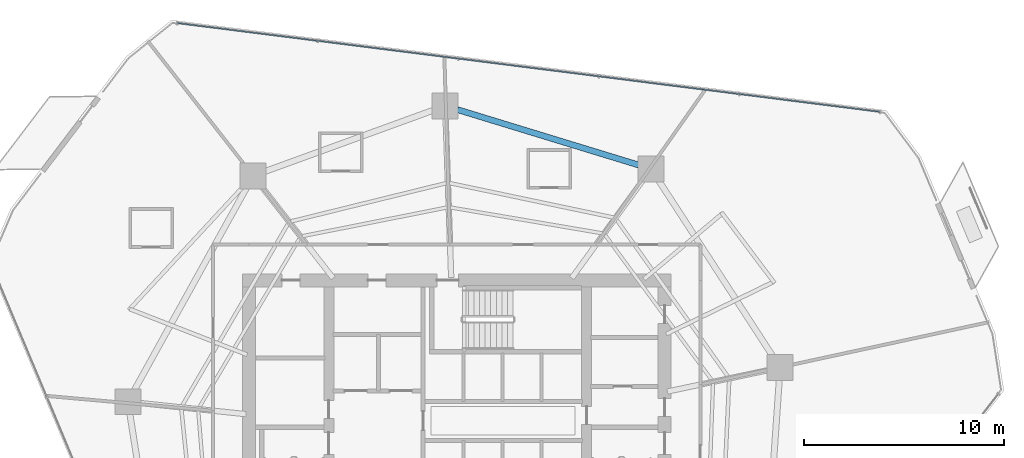
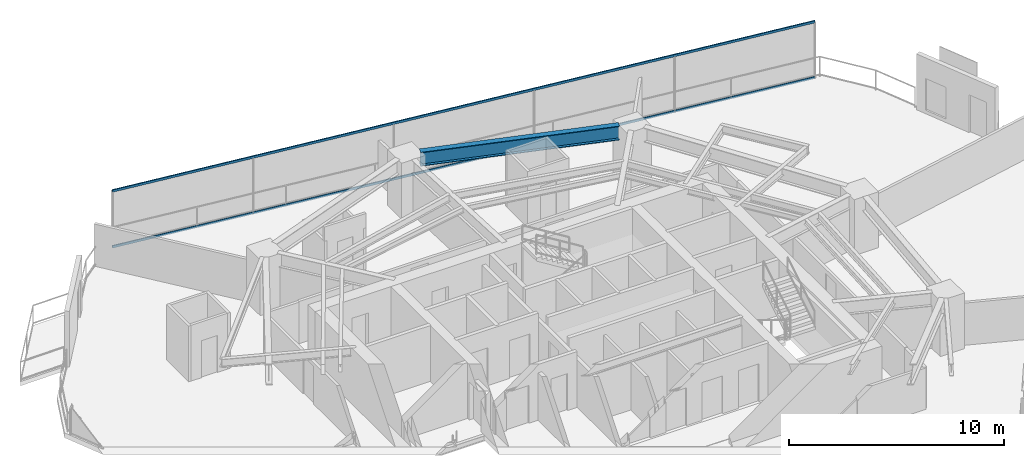
# One storey, part 21 of 30: 2 members, 1 beam, 1 element without a shape of its own.
"""IFC4 building model written with IfcOpenShell, lengths in metres."""

from ifc_helpers import new_model, si_unit, direction, frame, origin, origin_2d, place, context, subcontext, project, spatial, hollow_rectangle, i_section, extrude, material, layer, layer_set, material_profile, profile_set, type_object, element, aggregate, save


model = new_model("IFC4")

# Units and contexts
model_context = context("Model", 3, precision=1e-05, world=origin(), true_north=direction((0.0, 1.0)))
body_context = subcontext(model_context, "Body", "Model", "MODEL_VIEW")
ifc_project = project(units=[si_unit("LENGTHUNIT", "METRE"), si_unit("AREAUNIT", "SQUARE_METRE"), si_unit("VOLUMEUNIT", "CUBIC_METRE"), si_unit("PLANEANGLEUNIT", "RADIAN"), si_unit("MASSUNIT", "GRAM", prefix="KILO")], contexts=[model_context])

# Site, building, storey
site_placement = place(None, origin())
site = spatial("IfcSite", under=ifc_project, at=site_placement, CompositionType="ELEMENT")
building_placement = place(site_placement, origin())
building = spatial("IfcBuilding", under=site, at=building_placement, Name="Qarnah Convention Tower", CompositionType="ELEMENT")
storey_placement = place(building_placement, frame((0.0, 0.0, 40.800048828125)))
storey = spatial("IfcBuildingStorey", under=building, at=storey_placement, Name="L09", CompositionType="ELEMENT", Elevation=40.800048828125)

# Beam
ifc_material_1 = material(Name="Structural steel S355JR", Category="steel")
ifc_material_profile_1 = material_profile(ifc_material_1, i_section(OverallWidth=0.300048828125, OverallDepth=0.800048828125, WebThickness=0.01806640625, FlangeThickness=0.032958984375, at=origin_2d()), Name="HEB800")
ifc_profile_set_1 = profile_set([ifc_material_profile_1], Name="Structural steel S355JR")
beam_type = type_object("IfcBeamType", Name="BM-RING-HEB800", PredefinedType="BEAM", material=ifc_profile_set_1)
beam_placement = place(storey_placement, frame((46.31591796875, 39.97607421875, 2.77001953125), z_axis=(-0.956298871663, 0.292390950707, 0.0), x_axis=(-0.292390950707, -0.956298871663, 0.0)))
element("IfcBeam", 1, at=beam_placement, inside=storey, type_object=beam_type, Name="L09 beam BM-L09-SPN-02", PredefinedType="BEAM", context=body_context, shape_type="SweptSolid", body=[
    extrude(i_section(OverallWidth=0.300048828125, OverallDepth=0.800048828125, WebThickness=0.01806640625, FlangeThickness=0.032958984375, at=origin_2d()), origin(), (0.0, 0.0, 1.0), 9.4970703125),
])

# Curtain wall, members
ifc_material_2 = material(Name="Tempered Low-E dark glass", Category="glass")
ifc_layer = layer(ifc_material_2, 0.16796875)
ifc_layer_set = layer_set([ifc_layer], Name="Tempered Low-E dark glass")
curtain_wall_type = type_object("IfcCurtainWallType", Name="CWS-01", PredefinedType="NOTDEFINED", material=ifc_layer_set)
curtain_wall_placement = place(storey_placement, origin())
curtain_wall = element("IfcCurtainWall", 2, at=curtain_wall_placement, inside=storey, type_object=curtain_wall_type, Name="L09 unitised curtain wall CW-L09-F2", PredefinedType="NOTDEFINED")
ifc_material_3 = material(Name="Black anodised aluminium", Category="aluminium")
ifc_material_profile_2 = material_profile(ifc_material_3, hollow_rectangle(XDim=0.06005859375, YDim=0.1298828125, WallThickness=0.00390625, at=origin_2d()), Name="TRN-60X130")
ifc_profile_set_2 = profile_set([ifc_material_profile_2], Name="Black anodised aluminium")
member_type = type_object("IfcMemberType", Name="TRN-T1", PredefinedType="USERDEFINED", material=ifc_profile_set_2)
member_1_placement = place(storey_placement, frame((23.208984375, 47.08203125, 0.0), z_axis=(0.992116116264, -0.12532203258, 0.0), x_axis=(0.12532203258, 0.992116116264, 0.0)))
member_1 = element("IfcMember", 3, at=member_1_placement, type_object=member_type, Name="CW-L09-F2 transom 1", ObjectType="TRANSOM", PredefinedType="USERDEFINED", context=body_context, shape_type="SweptSolid", body=[
    extrude(hollow_rectangle(XDim=0.06005859375, YDim=0.1298828125, WallThickness=0.00390625, at=origin_2d()), origin(), (0.0, 0.0, 1.0), 35.45361328125),
])
member_2_placement = place(storey_placement, frame((23.208984375, 47.08203125, 3.169921875), z_axis=(0.992116116264, -0.12532203258, 0.0), x_axis=(0.12532203258, 0.992116116264, 0.0)))
member_2 = element("IfcMember", 4, at=member_2_placement, type_object=member_type, Name="CW-L09-F2 transom 2", ObjectType="TRANSOM", PredefinedType="USERDEFINED", context=body_context, shape_type="SweptSolid", body=[
    extrude(hollow_rectangle(XDim=0.06005859375, YDim=0.1298828125, WallThickness=0.00390625, at=origin_2d()), origin(), (0.0, 0.0, 1.0), 35.45361328125),
])
aggregate(curtain_wall, [member_1, member_2])

save(model, "model.ifc")
